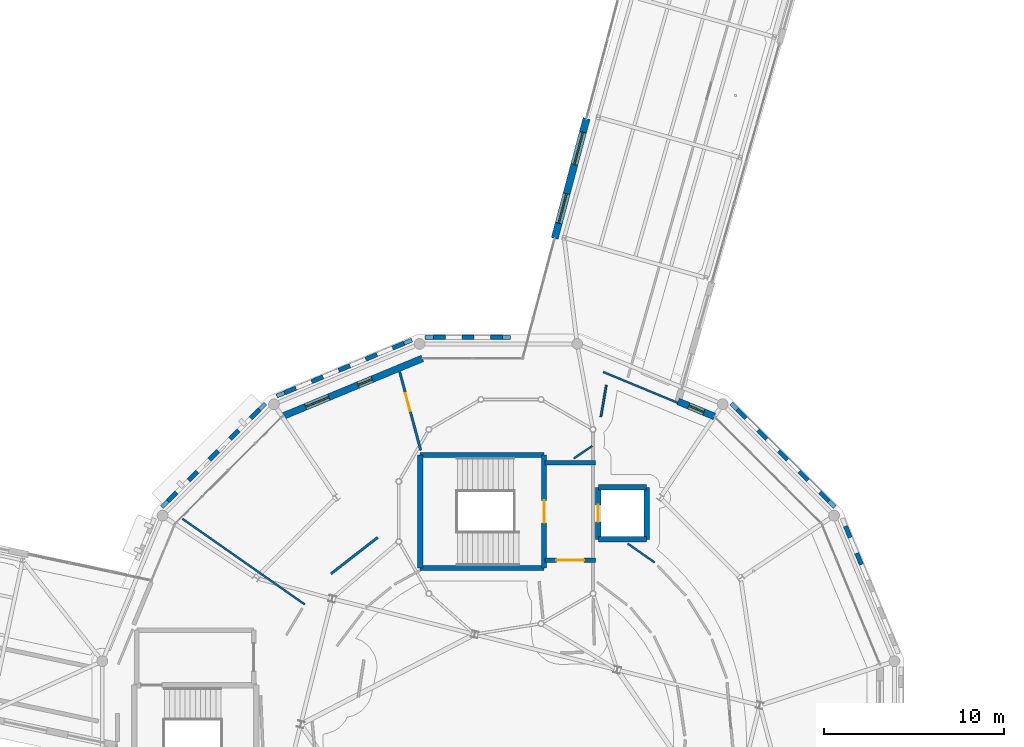
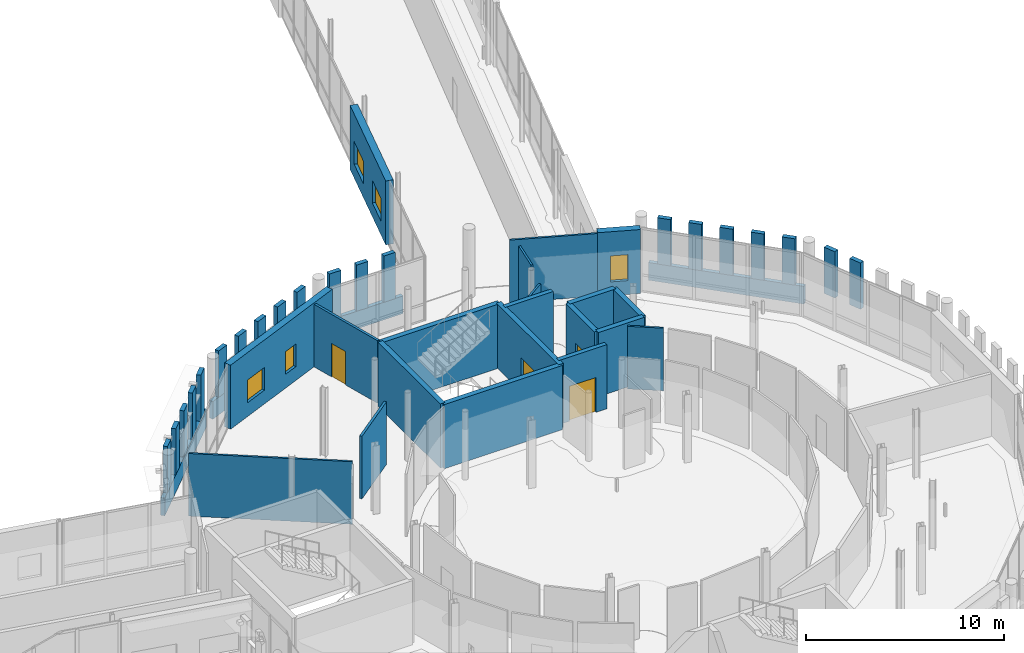
# One storey, part 100 of 125: 44 walls, 5 windows, 4 doors, 9 openings.
"""IFC4 building model written with IfcOpenShell, lengths in metres."""

import ifcopenshell
import ifcopenshell.guid

model = None  # the IFC model being written
_history = None  # IfcOwnerHistory: only IFC2X3 demands one
_inside = {}  # id of a spatial element -> (the spatial element, [elements in it])
_under = {}  # id of a project, library or spatial element -> (it, [spatial elements below it])
_declared = {}  # id of a project -> (the project, [libraries it declares])
_typed = {}  # id of a type object -> (the type object, [elements of that type])
_made_of = {}  # id of a material, layer set ... -> (it, [elements and type objects made of it])


def new_model(schema):
    """Start an empty IFC model of exactly this schema.

    Asked for "IFC4X3", IfcOpenShell would pick the latest addendum, in which some entities
    have other attributes; the version numbers below select the first issue.
    IFC2X3 requires an IfcOwnerHistory on every rooted entity: one is made here for all.
    """
    global model, _history
    if schema == "IFC4X3":
        model = ifcopenshell.file(schema_version=(4, 3, 0, 0))
    else:
        model = ifcopenshell.file(schema=schema)
    _inside.clear()
    _under.clear()
    _declared.clear()
    _typed.clear()
    _made_of.clear()
    _history = None
    if model.schema == "IFC2X3":
        org = make("IfcOrganization", Name="unknown")
        user = make(
            "IfcPersonAndOrganization",
            ThePerson=make("IfcPerson", FamilyName="unknown"),
            TheOrganization=org,
        )
        app = make(
            "IfcApplication",
            ApplicationDeveloper=org,
            Version="unknown",
            ApplicationFullName="unknown",
            ApplicationIdentifier="unknown",
        )
        _history = make(
            "IfcOwnerHistory",
            OwningUser=user,
            OwningApplication=app,
            ChangeAction="ADDED",
            CreationDate=0,
        )
    return model


def make(cls, **values):
    """One entity of the class cls with the attributes given. An attribute that is None is left unset."""
    return model.create_entity(
        cls, **{name: value for name, value in values.items() if value is not None}
    )


def rooted(cls, **values):
    """An entity with a GlobalId (a new one), such as an element, a storey or a relation."""
    return make(cls, GlobalId=ifcopenshell.guid.new(), OwnerHistory=_history, **values)


def si_unit(unit_type, name, prefix=None):
    """IfcSIUnit, for example si_unit("LENGTHUNIT", "METRE", prefix="MILLI")."""
    return make("IfcSIUnit", UnitType=unit_type, Prefix=prefix, Name=name)


def assignment(units):
    """IfcUnitAssignment: the units of a project."""
    return None if units is None else make("IfcUnitAssignment", Units=units)


def point(xyz):
    """IfcCartesianPoint."""
    return None if xyz is None else make("IfcCartesianPoint", Coordinates=xyz)


def direction(xyz):
    """IfcDirection."""
    return None if xyz is None else make("IfcDirection", DirectionRatios=xyz)


def frame(location, z_axis=None, x_axis=None):
    """IfcAxis2Placement3D, a coordinate frame: its origin and axes. An axis left out is left unset."""
    return make(
        "IfcAxis2Placement3D",
        Location=point(location),
        Axis=direction(z_axis),
        RefDirection=direction(x_axis),
    )


def frame_2d(location, x_axis=None):
    """IfcAxis2Placement2D, a coordinate frame in the plane: its origin and x axis."""
    return make(
        "IfcAxis2Placement2D", Location=point(location), RefDirection=direction(x_axis)
    )


def origin():
    """The frame at (0, 0, 0) with its axes left unset."""
    return frame((0.0, 0.0, 0.0))


def place(relative_to, where):
    """IfcLocalPlacement: puts the frame where relative to a parent placement (None: the world)."""
    return make(
        "IfcLocalPlacement", PlacementRelTo=relative_to, RelativePlacement=where
    )


def context(
    kind, dimensions, precision=None, world=None, true_north=None, identifier=None
):
    """IfcGeometricRepresentationContext, for example the 3D "Model" context."""
    return make(
        "IfcGeometricRepresentationContext",
        ContextIdentifier=identifier,
        ContextType=kind,
        CoordinateSpaceDimension=dimensions,
        Precision=precision,
        WorldCoordinateSystem=world,
        TrueNorth=true_north,
    )


def subcontext(parent, identifier, kind, view, scale=None):
    """IfcGeometricRepresentationSubContext, for example "Body" below "Model"."""
    return make(
        "IfcGeometricRepresentationSubContext",
        ContextIdentifier=identifier,
        ContextType=kind,
        ParentContext=parent,
        TargetScale=scale,
        TargetView=view,
    )


def project(units=None, contexts=None):
    """IfcProject with its units and contexts."""
    return rooted(
        "IfcProject",
        Name="project",
        RepresentationContexts=contexts,
        UnitsInContext=assignment(units),
    )


def spatial(cls, under=None, at=None, **own):
    """A site, building, storey or space (cls), placed at a placement, below another one or the project."""
    s = rooted(cls, ObjectPlacement=at, **own)
    if under is not None:
        _under.setdefault(under.id(), (under, []))[1].append(s)
    return s


def profile(cls, at=None, kind="AREA", **sizes):
    """A parametric profile (cls). Its sizes go by their IFC names, for example OverallWidth=200.0."""
    return make(cls, ProfileType=kind, Position=at, **sizes)


def rectangle(**sizes):
    """IfcRectangleProfileDef."""
    return profile("IfcRectangleProfileDef", **sizes)


def extrude(swept, where, along, depth):
    """IfcExtrudedAreaSolid: the profile swept, set in the frame where, extruded along a direction by depth."""
    return make(
        "IfcExtrudedAreaSolid",
        SweptArea=swept,
        Position=where,
        ExtrudedDirection=direction(along),
        Depth=depth,
    )


def shape(context_of_items, identifier, shape_type, items):
    """IfcShapeRepresentation: the items that make up one representation, for example the "Body"."""
    return make(
        "IfcShapeRepresentation",
        ContextOfItems=context_of_items,
        RepresentationIdentifier=identifier,
        RepresentationType=shape_type,
        Items=items,
    )


def material(Name=None, Category=None):
    """IfcMaterial."""
    return make("IfcMaterial", Name=Name, Category=Category)


def layer(
    of_material, thickness, ventilated=None, Name=None, Category=None, Priority=None
):
    """IfcMaterialLayer: one layer of a wall or slab, of a material (None: an air gap)."""
    return make(
        "IfcMaterialLayer",
        Material=of_material,
        LayerThickness=thickness,
        IsVentilated=ventilated,
        Name=Name,
        Category=Category,
        Priority=Priority,
    )


def layer_set(layers, Name=None):
    """IfcMaterialLayerSet."""
    return make("IfcMaterialLayerSet", MaterialLayers=layers, LayerSetName=Name)


def made_of(thing, what):
    """Note that an element or type object is made of a material, layer set ...; save() writes the relation."""
    if what is not None:
        _made_of.setdefault(what.id(), (what, []))[1].append(thing)
    return thing


def type_object(cls, material=None, **own):
    """A type object (cls), such as IfcWallType, which elements share."""
    return made_of(rooted(cls, **own), material)


def element(
    cls,
    number,
    at=None,
    inside=None,
    cuts=None,
    type_object=None,
    material=None,
    context=None,
    identifier="Body",
    shape_type=None,
    held_by="IfcProductDefinitionShape",
    body=None,
    shapes=None,
    **own,
):
    """One element of the class cls, such as IfcWall. Its Tag is "e" and its number.

    at: its placement. inside: the storey or other place that contains it. cuts: it is an
    opening in that element (IfcRelVoidsElement). A single representation is given by context,
    identifier, shape_type and body (its items); several are given by shapes. held_by: the class
    of the entity that holds the representations. save() writes the other relations.
    """
    e = rooted(cls, Tag="e%d" % number, ObjectPlacement=at, **own)
    if body is not None:
        shapes = [shape(context, identifier, shape_type, body)]
    if shapes is not None:
        e.Representation = make(held_by, Representations=shapes)
    if inside is not None:
        _inside.setdefault(inside.id(), (inside, []))[1].append(e)
    if cuts is not None:
        rooted(
            "IfcRelVoidsElement", RelatingBuildingElement=cuts, RelatedOpeningElement=e
        )
    if type_object is not None:
        _typed.setdefault(type_object.id(), (type_object, []))[1].append(e)
    return made_of(e, material)


def fill(opening, filler):
    """IfcRelFillsElement: the door or window that sits in an opening."""
    return rooted(
        "IfcRelFillsElement",
        RelatingOpeningElement=opening,
        RelatedBuildingElement=filler,
    )


def aggregate(whole, parts):
    """IfcRelAggregates: a whole, such as a stair, and the parts it consists of."""
    return rooted("IfcRelAggregates", RelatingObject=whole, RelatedObjects=parts)


def save(model, path):
    """Write the relations noted so far, then the file.

    IfcRelAggregates (storeys below a building ...), IfcRelContainedInSpatialStructure (elements
    in a storey), IfcRelDefinesByType, IfcRelAssociatesMaterial and IfcRelDeclares: one each for
    every whole, place, type object, material and project.
    """
    for whole, parts in _under.values():
        aggregate(whole, parts)
    for where, things in _inside.values():
        rooted(
            "IfcRelContainedInSpatialStructure",
            RelatedElements=things,
            RelatingStructure=where,
        )
    for kind, things in _typed.values():
        rooted("IfcRelDefinesByType", RelatedObjects=things, RelatingType=kind)
    for what, things in _made_of.values():
        rooted("IfcRelAssociatesMaterial", RelatedObjects=things, RelatingMaterial=what)
    for by, libraries in _declared.values():
        rooted("IfcRelDeclares", RelatingContext=by, RelatedDefinitions=libraries)
    model.write(path)


model = new_model("IFC4")

# Units and contexts
model_context = context("Model", 3, precision=1e-05, world=origin(), true_north=direction((0.0, 1.0)))
body_context = subcontext(model_context, "Body", "Model", "MODEL_VIEW")
ifc_project = project(units=[si_unit("LENGTHUNIT", "METRE"), si_unit("AREAUNIT", "SQUARE_METRE"), si_unit("VOLUMEUNIT", "CUBIC_METRE"), si_unit("PLANEANGLEUNIT", "RADIAN"), si_unit("MASSUNIT", "GRAM", prefix="KILO")], contexts=[model_context])

# Site, building, storey
site_placement = place(None, origin())
site = spatial("IfcSite", under=ifc_project, at=site_placement, CompositionType="ELEMENT")
building_placement = place(site_placement, origin())
building = spatial("IfcBuilding", under=site, at=building_placement, Name="Wrenclough Park School", CompositionType="ELEMENT")
storey_placement = place(building_placement, frame((0.0, 0.0, 4.199951171875)))
storey = spatial("IfcBuildingStorey", under=building, at=storey_placement, Name="L01", CompositionType="ELEMENT", Elevation=4.199951171875)

# Walls
ifc_material_1 = material(Name="Perforated open-bond Staffordshire and Manchester brick screen pier", Category="masonry")
ifc_layer_1 = layer(ifc_material_1, 0.2451171875)
ifc_layer_set_1 = layer_set([ifc_layer_1], Name="Perforated open-bond Staffordshire and Manchester brick screen pier")
wall_type_1 = type_object("IfcWallType", Name="ENV-BS-PR245", PredefinedType="ELEMENTEDWALL", material=ifc_layer_set_1)
for number, where, z_axis, x_axis, name in (
    (1, (175.68310546875, 36.25048828125, 1.090087890625), (0.0, 0.0, 1.0), (-0.382762115804, 0.923846936838, 0.0), "D1 L01 perforated brick screen pier 0169"),
    (2, (175.060791015625, 37.752685546875, 1.090087890625), (0.0, 0.0, 1.0), (-0.382762115804, 0.923846936838, 0.0), "D1 L01 perforated brick screen pier 0170"),
):
    element("IfcWall", number, at=place(storey_placement, frame(where, z_axis=z_axis, x_axis=x_axis)), inside=storey, type_object=wall_type_1, Name=name, PredefinedType="ELEMENTEDWALL", context=body_context, shape_type="SweptSolid", body=[
        extrude(rectangle(XDim=0.68310546875, YDim=0.2451171875, at=frame_2d((0.341552734375, 0.0))), origin(), (0.0, 0.0, 1.0), 2.849853515625),
    ])
wall_1_placement = place(storey_placement, frame((173.864501953125, 39.78271484375, 1.090087890625), z_axis=(0.0, 0.0, 1.0), x_axis=(-0.707106781187, 0.707106781187, 0.0)))
element("IfcWall", 3, at=wall_1_placement, inside=storey, type_object=wall_type_1, Name="D1 L01 perforated brick screen pier 0171", PredefinedType="ELEMENTEDWALL", context=body_context, shape_type="SweptSolid", body=[
    extrude(rectangle(XDim=0.682861328125, YDim=0.2451171875, at=frame_2d((0.34130859375, 0.0))), origin(), (0.0, 0.0, 1.0), 2.849853515625),
])
for number, where, z_axis, x_axis, name in (
    (4, (172.715087890625, 40.932373046875, 1.090087890625), (0.0, 0.0, 1.0), (-0.707285456296, 0.706928060917, 0.0), "D1 L01 perforated brick screen pier 0172"),
    (5, (171.5654296875, 42.081787109375, 1.090087890625), (0.0, 0.0, 1.0), (-0.706928060917, 0.707285456296, 0.0), "D1 L01 perforated brick screen pier 0173"),
    (6, (170.415771484375, 43.2314453125, 1.090087890625), (0.0, 0.0, 1.0), (-0.706928060917, 0.707285456296, 0.0), "D1 L01 perforated brick screen pier 0174"),
):
    element("IfcWall", number, at=place(storey_placement, frame(where, z_axis=z_axis, x_axis=x_axis)), inside=storey, type_object=wall_type_1, Name=name, PredefinedType="ELEMENTEDWALL", context=body_context, shape_type="SweptSolid", body=[
        extrude(rectangle(XDim=0.68310546875, YDim=0.2451171875, at=frame_2d((0.341552734375, 0.0))), origin(), (0.0, 0.0, 1.0), 2.849853515625),
    ])
wall_2_placement = place(storey_placement, frame((169.26611328125, 44.381103515625, 1.090087890625), z_axis=(0.0, 0.0, 1.0), x_axis=(-0.707106781187, 0.707106781187, 0.0)))
element("IfcWall", 7, at=wall_2_placement, inside=storey, type_object=wall_type_1, Name="D1 L01 perforated brick screen pier 0175", PredefinedType="ELEMENTEDWALL", context=body_context, shape_type="SweptSolid", body=[
    extrude(rectangle(XDim=0.682861328125, YDim=0.2451171875, at=frame_2d((0.34130859375, 0.0))), origin(), (0.0, 0.0, 1.0), 2.849853515625),
])
for number, where, z_axis, x_axis, name in (
    (8, (155.72216796875, 48.878173828125, 1.090087890625), (0.0, 0.0, 1.0), (-1.0, 0.0, 0.0), "D1 L01 perforated brick screen pier 0176"),
    (9, (154.14013671875, 48.878173828125, 1.090087890625), (0.0, 0.0, 1.0), (-1.0, 0.0, 0.0), "D1 L01 perforated brick screen pier 0177"),
    (10, (152.55810546875, 48.878173828125, 1.090087890625), (0.0, 0.0, 1.0), (-1.0, 0.0, 0.0), "D1 L01 perforated brick screen pier 0178"),
):
    element("IfcWall", number, at=place(storey_placement, frame(where, z_axis=z_axis, x_axis=x_axis)), inside=storey, type_object=wall_type_1, Name=name, PredefinedType="ELEMENTEDWALL", context=body_context, shape_type="SweptSolid", body=[
        extrude(rectangle(XDim=0.6640625, YDim=0.2451171875, at=frame_2d((0.33203125, 0.0))), origin(), (0.0, 0.0, 1.0), 2.849853515625),
    ])
wall_3_placement = place(storey_placement, frame((150.256103515625, 48.5498046875, 1.090087890625), z_axis=(0.0, 0.0, 1.0), x_axis=(-0.923846936838, -0.382762115804, 0.0)))
element("IfcWall", 11, at=wall_3_placement, inside=storey, type_object=wall_type_1, Name="D1 L01 perforated brick screen pier 0179", PredefinedType="ELEMENTEDWALL", context=body_context, shape_type="SweptSolid", body=[
    extrude(rectangle(XDim=0.68310546875, YDim=0.2451171875, at=frame_2d((0.341552734375, 0.0))), origin(), (0.0, 0.0, 1.0), 2.849853515625),
])
for number, where, z_axis, x_axis, name in (
    (12, (148.753662109375, 47.927490234375, 1.090087890625), (0.0, 0.0, 1.0), (-0.923794551169, -0.382888531077, 0.0), "D1 L01 perforated brick screen pier 0180"),
    (13, (147.25146484375, 47.30517578125, 1.090087890625), (0.0, 0.0, 1.0), (-0.923920971518, -0.382583374429, 0.0), "D1 L01 perforated brick screen pier 0181"),
    (14, (145.749267578125, 46.68310546875, 1.090087890625), (0.0, 0.0, 1.0), (-0.923794551169, -0.382888531077, 0.0), "D1 L01 perforated brick screen pier 0182"),
):
    element("IfcWall", number, at=place(storey_placement, frame(where, z_axis=z_axis, x_axis=x_axis)), inside=storey, type_object=wall_type_1, Name=name, PredefinedType="ELEMENTEDWALL", context=body_context, shape_type="SweptSolid", body=[
        extrude(rectangle(XDim=0.682861328125, YDim=0.2451171875, at=frame_2d((0.34130859375, 0.0))), origin(), (0.0, 0.0, 1.0), 2.849853515625),
    ])
wall_4_placement = place(storey_placement, frame((144.2470703125, 46.060791015625, 1.090087890625), z_axis=(0.0, 0.0, 1.0), x_axis=(-0.923846936838, -0.382762115804, 0.0)))
element("IfcWall", 15, at=wall_4_placement, inside=storey, type_object=wall_type_1, Name="D1 L01 perforated brick screen pier 0183", PredefinedType="ELEMENTEDWALL", context=body_context, shape_type="SweptSolid", body=[
    extrude(rectangle(XDim=0.68310546875, YDim=0.2451171875, at=frame_2d((0.341552734375, 0.0))), origin(), (0.0, 0.0, 1.0), 2.849853515625),
])
wall_5_placement = place(storey_placement, frame((142.216796875, 44.864013671875, 1.090087890625), z_axis=(0.0, 0.0, 1.0), x_axis=(-0.707106781187, -0.707106781187, 0.0)))
element("IfcWall", 16, at=wall_5_placement, inside=storey, type_object=wall_type_1, Name="D1 L01 perforated brick screen pier 0184", PredefinedType="ELEMENTEDWALL", context=body_context, shape_type="SweptSolid", body=[
    extrude(rectangle(XDim=0.682861328125, YDim=0.2451171875, at=frame_2d((0.34130859375, 0.0))), origin(), (0.0, 0.0, 1.0), 2.849853515625),
])
for number, where, z_axis, x_axis, name in (
    (17, (141.067138671875, 43.714599609375, 1.090087890625), (0.0, 0.0, 1.0), (-0.706928060917, -0.707285456296, 0.0), "D1 L01 perforated brick screen pier 0185"),
    (18, (139.91748046875, 42.56494140625, 1.090087890625), (0.0, 0.0, 1.0), (-0.706928060917, -0.707285456296, 0.0), "D1 L01 perforated brick screen pier 0186"),
    (19, (138.76806640625, 41.415283203125, 1.090087890625), (0.0, 0.0, 1.0), (-0.707285456296, -0.706928060917, 0.0), "D1 L01 perforated brick screen pier 0187"),
):
    element("IfcWall", number, at=place(storey_placement, frame(where, z_axis=z_axis, x_axis=x_axis)), inside=storey, type_object=wall_type_1, Name=name, PredefinedType="ELEMENTEDWALL", context=body_context, shape_type="SweptSolid", body=[
        extrude(rectangle(XDim=0.68310546875, YDim=0.2451171875, at=frame_2d((0.341552734375, 0.0))), origin(), (0.0, 0.0, 1.0), 2.849853515625),
    ])
wall_6_placement = place(storey_placement, frame((137.618408203125, 40.265625, 1.090087890625), z_axis=(0.0, 0.0, 1.0), x_axis=(-0.707106781187, -0.707106781187, 0.0)))
element("IfcWall", 20, at=wall_6_placement, inside=storey, type_object=wall_type_1, Name="D1 L01 perforated brick screen pier 0188", PredefinedType="ELEMENTEDWALL", context=body_context, shape_type="SweptSolid", body=[
    extrude(rectangle(XDim=0.682861328125, YDim=0.2451171875, at=frame_2d((0.34130859375, 0.0))), origin(), (0.0, 0.0, 1.0), 2.849853515625),
])
ifc_material_2 = material(Name="Open-bond Manchester multi-stock brick spandrel screen", Category="masonry")
ifc_layer_2 = layer(ifc_material_2, 0.22509765625)
ifc_layer_set_2 = layer_set([ifc_layer_2], Name="Open-bond Manchester multi-stock brick spandrel screen")
wall_type_2 = type_object("IfcWallType", Name="ENV-BS-SP225", PredefinedType="ELEMENTEDWALL", material=ifc_layer_set_2)
wall_7_placement = place(storey_placement, frame((174.197998046875, 39.449462890625, 0.0), z_axis=(0.0, 0.0, 1.0), x_axis=(-0.707106781187, 0.707106781187, 0.0)))
element("IfcWall", 21, at=wall_7_placement, inside=storey, type_object=wall_type_2, Name="D1 L01 open-bond brick screen spandrel 0049", PredefinedType="ELEMENTEDWALL", context=body_context, shape_type="SweptSolid", body=[
    extrude(rectangle(XDim=8.12890625, YDim=0.22509765625, at=frame_2d((4.064453125, 0.0))), origin(), (0.0, 0.0, 1.0), 1.090087890625),
])
wall_8_placement = place(storey_placement, frame((156.18115234375, 48.878173828125, 0.0), z_axis=(0.0, 0.0, 1.0), x_axis=(-1.0, 0.0, 0.0)))
element("IfcWall", 22, at=wall_8_placement, inside=storey, type_object=wall_type_2, Name="D1 L01 open-bond brick screen spandrel 0050", PredefinedType="ELEMENTEDWALL", context=body_context, shape_type="SweptSolid", body=[
    extrude(rectangle(XDim=4.74609375, YDim=0.22509765625, at=frame_2d((2.373046875, 0.0))), origin(), (0.0, 0.0, 1.0), 1.090087890625),
])
wall_9_placement = place(storey_placement, frame((150.691650390625, 48.730224609375, 0.0), z_axis=(0.0, 0.0, 1.0), x_axis=(-0.92387628859, -0.382691263791, 0.0)))
element("IfcWall", 23, at=wall_9_placement, inside=storey, type_object=wall_type_2, Name="D1 L01 open-bond brick screen spandrel 0051", PredefinedType="ELEMENTEDWALL", context=body_context, shape_type="SweptSolid", body=[
    extrude(rectangle(XDim=8.130126953125, YDim=0.22509765625, at=frame_2d((4.06494140625, 0.0))), origin(), (0.0, 0.0, 1.0), 1.090087890625),
])
wall_10_placement = place(storey_placement, frame((142.550048828125, 45.197509765625, 0.0), z_axis=(0.0, 0.0, 1.0), x_axis=(-0.707106781187, -0.707106781187, 0.0)))
element("IfcWall", 24, at=wall_10_placement, inside=storey, type_object=wall_type_2, Name="D1 L01 open-bond brick screen spandrel 0052", PredefinedType="ELEMENTEDWALL", context=body_context, shape_type="SweptSolid", body=[
    extrude(rectangle(XDim=8.12890625, YDim=0.22509765625, at=frame_2d((4.064453125, 0.0))), origin(), (0.0, 0.0, 1.0), 1.090087890625),
])

# Wall, opening, window
ifc_material_3 = material(Name="Manchester multi-stock brick and Concrete C35/45 inner leaf", Category="masonry")
ifc_layer_3 = layer(ifc_material_3, 0.3798828125)
ifc_layer_set_3 = layer_set([ifc_layer_3], Name="Manchester multi-stock brick and Concrete C35/45 inner leaf")
wall_type_3 = type_object("IfcWallType", Name="ENV-EW-380", PredefinedType="SOLIDWALL", material=ifc_layer_set_3)
wall_11_placement = place(storey_placement, frame((165.493896484375, 45.3203125, 0.0), z_axis=(0.0, 0.0, 1.0), x_axis=(0.923883575944, -0.382673670509, 0.0)))
wall_11 = element("IfcWall", 25, at=wall_11_placement, inside=storey, type_object=wall_type_3, Name="L01 insulated brick external wall 0099", PredefinedType="SOLIDWALL", context=body_context, shape_type="SweptSolid", body=[
    extrude(rectangle(XDim=2.188232421875, YDim=0.3798828125, at=frame_2d((1.09423828125, 0.0))), origin(), (0.0, 0.0, 1.0), 3.93994140625),
])
opening_1_placement = place(wall_11_placement, frame((0.644287109375, 0.0, 0.85009765625)))
opening_1 = element("IfcOpeningElement", 26, at=opening_1_placement, cuts=wall_11, Name="Opening WN-13", PredefinedType="OPENING", context=body_context, shape_type="SweptSolid", body=[
    extrude(rectangle(XDim=0.89990234375, YDim=1.60009765625, at=frame_2d((0.449951171875, 0.800048828125))), frame((0.0, 0.199951171875, 0.0), z_axis=(0.0, -1.0, 0.0), x_axis=(1.0, 0.0, 0.0)), (0.0, 0.0, 1.0), 0.39990234375),
])
ifc_material_4 = material(Name="Thermally broken aluminium and double-glazed low-e glass", Category="aluminium")
window_type_1 = type_object("IfcWindowType", Name="ENV-WN-13", PartitioningType="SINGLE_PANEL", PredefinedType="WINDOW", material=ifc_material_4)
window_1_placement = place(opening_1_placement, origin())
window_1 = element("IfcWindow", 27, at=window_1_placement, inside=storey, type_object=window_type_1, Name="L01 scheduled facade window 0144", OverallHeight=1.60009765625, OverallWidth=0.89990234375, PartitioningType="SINGLE_PANEL", PredefinedType="WINDOW", context=body_context, shape_type="SweptSolid", body=[
    extrude(rectangle(XDim=0.89990234375, YDim=1.60009765625, at=frame_2d((0.449951171875, 0.800048828125))), frame((0.0, 0.030029296875, 0.0), z_axis=(0.0, -1.0, 0.0), x_axis=(1.0, 0.0, 0.0)), (0.0, 0.0, 1.0), 0.06005859375),
])
fill(opening_1, window_1)

# Wall, openings, windows
wall_12_placement = place(storey_placement, frame((143.484375, 44.48291015625, 0.0), z_axis=(0.0, 0.0, 1.0), x_axis=(0.923884604839, 0.382671186453, 0.0)))
wall_12 = element("IfcWall", 28, at=wall_12_placement, inside=storey, type_object=wall_type_3, Name="L01 insulated brick external wall 0115", PredefinedType="SOLIDWALL", context=body_context, shape_type="SweptSolid", body=[
    extrude(rectangle(XDim=8.438720703125, YDim=0.3798828125, at=frame_2d((4.21923828125, 0.0))), origin(), (0.0, 0.0, 1.0), 3.93994140625),
])
opening_2_placement = place(wall_12_placement, frame((1.40966796875, 0.0, 0.85009765625)))
opening_2 = element("IfcOpeningElement", 29, at=opening_2_placement, cuts=wall_12, Name="Opening WN-05", PredefinedType="OPENING", context=body_context, shape_type="SweptSolid", body=[
    extrude(rectangle(XDim=1.39990234375, YDim=1.39990234375, at=frame_2d((0.699951171875, 0.699951171875))), frame((0.0, 0.199951171875, 0.0), z_axis=(0.0, -1.0, 0.0), x_axis=(1.0, 0.0, 0.0)), (0.0, 0.0, 1.0), 0.39990234375),
])
opening_3_placement = place(wall_12_placement, frame((4.5693359375, 0.0, 0.85009765625)))
opening_3 = element("IfcOpeningElement", 30, at=opening_3_placement, cuts=wall_12, Name="Opening WN-01", PredefinedType="OPENING", context=body_context, shape_type="SweptSolid", body=[
    extrude(rectangle(XDim=0.85009765625, YDim=1.39990234375, at=frame_2d((0.425048828125, 0.699951171875))), frame((0.0, 0.199951171875, 0.0), z_axis=(0.0, -1.0, 0.0), x_axis=(1.0, 0.0, 0.0)), (0.0, 0.0, 1.0), 0.39990234375),
])
window_type_2 = type_object("IfcWindowType", Name="ENV-WN-01", PartitioningType="SINGLE_PANEL", PredefinedType="WINDOW", material=ifc_material_4)
window_2_placement = place(opening_3_placement, origin())
window_2 = element("IfcWindow", 31, at=window_2_placement, inside=storey, type_object=window_type_2, Name="L01 scheduled facade window 0173", OverallHeight=1.39990234375, OverallWidth=0.85009765625, PartitioningType="SINGLE_PANEL", PredefinedType="WINDOW", context=body_context, shape_type="SweptSolid", body=[
    extrude(rectangle(XDim=0.85009765625, YDim=1.39990234375, at=frame_2d((0.425048828125, 0.699951171875))), frame((0.0, 0.030029296875, 0.0), z_axis=(0.0, -1.0, 0.0), x_axis=(1.0, 0.0, 0.0)), (0.0, 0.0, 1.0), 0.06005859375),
])
fill(opening_3, window_2)
window_type_3 = type_object("IfcWindowType", Name="ENV-WN-05", PartitioningType="SINGLE_PANEL", PredefinedType="WINDOW", material=ifc_material_4)
window_3_placement = place(opening_2_placement, origin())
window_3 = element("IfcWindow", 32, at=window_3_placement, inside=storey, type_object=window_type_3, Name="L01 scheduled facade window 0172", OverallHeight=1.39990234375, OverallWidth=1.39990234375, PartitioningType="SINGLE_PANEL", PredefinedType="WINDOW", context=body_context, shape_type="SweptSolid", body=[
    extrude(rectangle(XDim=1.39990234375, YDim=1.39990234375, at=frame_2d((0.699951171875, 0.699951171875))), frame((0.0, 0.030029296875, 0.0), z_axis=(0.0, -1.0, 0.0), x_axis=(1.0, 0.0, 0.0)), (0.0, 0.0, 1.0), 0.06005859375),
])
fill(opening_2, window_3)

ifc_material_5 = material(Name="Staffordshire blue-grey brick and Concrete C40/50 acoustic leaf", Category="masonry")
ifc_layer_4 = layer(ifc_material_5, 0.39990234375)
ifc_layer_set_4 = layer_set([ifc_layer_4], Name="Staffordshire blue-grey brick and Concrete C40/50 acoustic leaf")
wall_type_4 = type_object("IfcWallType", Name="ENV-EW-400", PredefinedType="SOLIDWALL", material=ifc_layer_set_4)
wall_13_placement = place(storey_placement, frame((158.631591796875, 54.382080078125, 0.0), z_axis=(0.0, 0.0, 1.0), x_axis=(0.256900738099, 0.966437794565, 0.0)))
wall_13 = element("IfcWall", 33, at=wall_13_placement, inside=storey, type_object=wall_type_4, Name="L01 insulated brick external wall 0116", PredefinedType="SOLIDWALL", context=body_context, shape_type="SweptSolid", body=[
    extrude(rectangle(XDim=6.9013671875, YDim=0.39990234375, at=frame_2d((3.45068359375, 0.0))), origin(), (0.0, 0.0, 1.0), 3.93994140625),
])
opening_4_placement = place(wall_13_placement, frame((0.87548828125, 0.0, 0.85009765625)))
opening_4 = element("IfcOpeningElement", 34, at=opening_4_placement, cuts=wall_13, Name="Opening WN-07", PredefinedType="OPENING", context=body_context, shape_type="SweptSolid", body=[
    extrude(rectangle(XDim=1.699951171875, YDim=1.39990234375, at=frame_2d((0.85009765625, 0.699951171875))), frame((0.0, 0.2099609375, 0.0), z_axis=(0.0, -1.0, 0.0), x_axis=(1.0, 0.0, 0.0)), (0.0, 0.0, 1.0), 0.419921875),
])
opening_5_placement = place(wall_13_placement, frame((4.251220703125, 0.0, 0.85009765625)))
opening_5 = element("IfcOpeningElement", 35, at=opening_5_placement, cuts=wall_13, Name="Opening WN-08", PredefinedType="OPENING", context=body_context, shape_type="SweptSolid", body=[
    extrude(rectangle(XDim=1.85009765625, YDim=1.39990234375, at=frame_2d((0.925048828125, 0.699951171875))), frame((0.0, 0.2099609375, 0.0), z_axis=(0.0, -1.0, 0.0), x_axis=(1.0, 0.0, 0.0)), (0.0, 0.0, 1.0), 0.419921875),
])
window_type_4 = type_object("IfcWindowType", Name="ENV-WN-07", PartitioningType="DOUBLE_PANEL_VERTICAL", PredefinedType="WINDOW", material=ifc_material_4)
window_4_placement = place(opening_4_placement, origin())
window_4 = element("IfcWindow", 36, at=window_4_placement, inside=storey, type_object=window_type_4, Name="L01 scheduled facade window 0174", OverallHeight=1.39990234375, OverallWidth=1.699951171875, PartitioningType="SINGLE_PANEL", PredefinedType="WINDOW", context=body_context, shape_type="SweptSolid", body=[
    extrude(rectangle(XDim=1.699951171875, YDim=1.39990234375, at=frame_2d((0.85009765625, 0.699951171875))), frame((0.0, 0.030029296875, 0.0), z_axis=(0.0, -1.0, 0.0), x_axis=(1.0, 0.0, 0.0)), (0.0, 0.0, 1.0), 0.06005859375),
])
fill(opening_4, window_4)
window_type_5 = type_object("IfcWindowType", Name="ENV-WN-08", PartitioningType="DOUBLE_PANEL_VERTICAL", PredefinedType="WINDOW", material=ifc_material_4)
window_5_placement = place(opening_5_placement, origin())
window_5 = element("IfcWindow", 37, at=window_5_placement, inside=storey, type_object=window_type_5, Name="L01 scheduled facade window 0175", OverallHeight=1.39990234375, OverallWidth=1.85009765625, PartitioningType="SINGLE_PANEL", PredefinedType="WINDOW", context=body_context, shape_type="SweptSolid", body=[
    extrude(rectangle(XDim=1.85009765625, YDim=1.39990234375, at=frame_2d((0.925048828125, 0.699951171875))), frame((0.0, 0.030029296875, 0.0), z_axis=(0.0, -1.0, 0.0), x_axis=(1.0, 0.0, 0.0)), (0.0, 0.0, 1.0), 0.06005859375),
])
fill(opening_5, window_5)

# Wall, opening, door
ifc_material_6 = material(Name="Concrete C35/45", Category="concrete")
ifc_layer_5 = layer(ifc_material_6, 0.25)
ifc_layer_set_5 = layer_set([ifc_layer_5], Name="Concrete C35/45")
wall_type_5 = type_object("IfcWallType", Name="INT-CW-250", PredefinedType="SHEAR", material=ifc_layer_set_5)
wall_14_placement = place(storey_placement, frame((158.10009765625, 36.5, 0.0), z_axis=(0.0, 0.0, 1.0), x_axis=(1.0, 0.0, 0.0)))
wall_14 = element("IfcWall", 38, at=wall_14_placement, inside=storey, type_object=wall_type_5, Name="Core C1 L01 lobby fire wall south", PredefinedType="SHEAR", context=body_context, shape_type="SweptSolid", body=[
    extrude(rectangle(XDim=2.7998046875, YDim=0.25, at=frame_2d((1.39990234375, 0.0))), origin(), (0.0, 0.0, 1.0), 3.949951171875),
])
opening_6_placement = place(wall_14_placement, frame((0.625, 0.0, 0.0)))
opening_6 = element("IfcOpeningElement", 39, at=opening_6_placement, cuts=wall_14, Name="Opening DLB-C1-L01", PredefinedType="OPENING", context=body_context, shape_type="SweptSolid", body=[
    extrude(rectangle(XDim=1.550048828125, YDim=2.14990234375, at=frame_2d((0.77490234375, 1.074951171875))), frame((0.0, 0.135009765625, 0.0), z_axis=(0.0, -1.0, 0.0), x_axis=(1.0, 0.0, 0.0)), (0.0, 0.0, 1.0), 0.27001953125),
])
ifc_material_7 = material(Name="Protected stair lobby double fire door assembly", Category="wood")
door_type_1 = type_object("IfcDoorType", Name="INT-DR-LB155", OperationType="NOTDEFINED", PredefinedType="DOOR", material=ifc_material_7)
door_1_placement = place(opening_6_placement, origin())
door_1 = element("IfcDoor", 40, at=door_1_placement, inside=storey, type_object=door_type_1, Name="Core C1 L01 protected lobby fire door", OperationType="DOUBLE_DOOR_SINGLE_SWING", OverallHeight=2.14990234375, OverallWidth=1.550048828125, PredefinedType="DOOR", context=body_context, shape_type="SweptSolid", body=[
    extrude(rectangle(XDim=1.550048828125, YDim=2.14990234375, at=frame_2d((0.77490234375, 1.074951171875))), frame((0.0, 0.02490234375, 0.0), z_axis=(0.0, -1.0, 0.0), x_axis=(1.0, 0.0, 0.0)), (0.0, 0.0, 1.0), 0.050048828125),
])
fill(opening_6, door_1)

# Walls
wall_15_placement = place(storey_placement, frame((160.89990234375, 41.89990234375, 0.0), z_axis=(0.0, 0.0, 1.0), x_axis=(-1.0, 0.0, 0.0)))
element("IfcWall", 41, at=wall_15_placement, inside=storey, type_object=wall_type_5, Name="Core C1 L01 lobby fire wall north", PredefinedType="SHEAR", context=body_context, shape_type="SweptSolid", body=[
    extrude(rectangle(XDim=2.7998046875, YDim=0.25, at=frame_2d((1.39990234375, 0.0))), origin(), (0.0, 0.0, 1.0), 3.949951171875),
])
ifc_material_8 = material(Name="Concrete C40/50", Category="concrete")
ifc_layer_6 = layer(ifc_material_8, 0.2900390625)
ifc_layer_set_6 = layer_set([ifc_layer_6], Name="Concrete C40/50")
wall_type_6 = type_object("IfcWallType", Name="INT-CW-290", PredefinedType="SHEAR", material=ifc_layer_set_6)
wall_16_placement = place(storey_placement, frame((151.155029296875, 36.054931640625, 0.0), z_axis=(0.0, 0.0, 1.0), x_axis=(1.0, 0.0, 0.0)))
element("IfcWall", 42, at=wall_16_placement, inside=storey, type_object=wall_type_6, Name="Core C1 L01 south shear wall", PredefinedType="SHEAR", context=body_context, shape_type="SweptSolid", body=[
    extrude(rectangle(XDim=6.889892578125, YDim=0.2900390625, at=frame_2d((3.44482421875, 0.0))), origin(), (0.0, 0.0, 1.0), 3.949951171875),
])

# Wall, opening, door
wall_17_placement = place(storey_placement, frame((158.044921875, 36.054931640625, 0.0), z_axis=(0.0, 0.0, 1.0), x_axis=(0.0, 1.0, 0.0)))
wall_17 = element("IfcWall", 43, at=wall_17_placement, inside=storey, type_object=wall_type_6, Name="Core C1 L01 east shear wall", PredefinedType="SHEAR", context=body_context, shape_type="SweptSolid", body=[
    extrude(rectangle(XDim=6.2900390625, YDim=0.2900390625, at=frame_2d((3.14501953125, 0.0))), origin(), (0.0, 0.0, 1.0), 3.949951171875),
])
opening_7_placement = place(wall_17_placement, frame((2.52001953125, 0.0, 0.0)))
opening_7 = element("IfcOpeningElement", 44, at=opening_7_placement, cuts=wall_17, Name="Opening DST-C1-L01", PredefinedType="OPENING", context=body_context, shape_type="SweptSolid", body=[
    extrude(rectangle(XDim=1.25, YDim=2.10009765625, at=frame_2d((0.625, 1.050048828125))), frame((0.0, 0.155029296875, 0.0), z_axis=(0.0, -1.0, 0.0), x_axis=(1.0, 0.0, 0.0)), (0.0, 0.0, 1.0), 0.31005859375),
])
ifc_material_9 = material(Name="Wide protected escape stair fire door assembly", Category="wood")
door_type_2 = type_object("IfcDoorType", Name="INT-DR-ST125", OperationType="NOTDEFINED", PredefinedType="DOOR", material=ifc_material_9)
door_2_placement = place(opening_7_placement, origin())
door_2 = element("IfcDoor", 45, at=door_2_placement, inside=storey, type_object=door_type_2, Name="Stair ST-01 L01 fire door", OperationType="SINGLE_SWING_RIGHT", OverallHeight=2.10009765625, OverallWidth=1.25, PredefinedType="DOOR", context=body_context, shape_type="SweptSolid", body=[
    extrude(rectangle(XDim=1.25, YDim=2.10009765625, at=frame_2d((0.625, 1.050048828125))), frame((0.0, 0.02490234375, 0.0), z_axis=(0.0, -1.0, 0.0), x_axis=(1.0, 0.0, 0.0)), (0.0, 0.0, 1.0), 0.050048828125),
])
fill(opening_7, door_2)

# Walls
wall_18_placement = place(storey_placement, frame((158.044921875, 42.344970703125, 0.0), z_axis=(0.0, 0.0, 1.0), x_axis=(-1.0, 0.0, 0.0)))
element("IfcWall", 46, at=wall_18_placement, inside=storey, type_object=wall_type_6, Name="Core C1 L01 north shear wall", PredefinedType="SHEAR", context=body_context, shape_type="SweptSolid", body=[
    extrude(rectangle(XDim=6.889892578125, YDim=0.2900390625, at=frame_2d((3.44482421875, 0.0))), origin(), (0.0, 0.0, 1.0), 3.949951171875),
])
wall_19_placement = place(storey_placement, frame((151.155029296875, 42.344970703125, 0.0), z_axis=(0.0, 0.0, 1.0), x_axis=(0.0, -1.0, 0.0)))
element("IfcWall", 47, at=wall_19_placement, inside=storey, type_object=wall_type_6, Name="Core C1 L01 west shear wall", PredefinedType="SHEAR", context=body_context, shape_type="SweptSolid", body=[
    extrude(rectangle(XDim=6.2900390625, YDim=0.2900390625, at=frame_2d((3.14501953125, 0.0))), origin(), (0.0, 0.0, 1.0), 3.949951171875),
])
wall_20_placement = place(storey_placement, frame((161.054931640625, 37.655029296875, 0.0), z_axis=(0.0, 0.0, 1.0), x_axis=(1.0, 0.0, 0.0)))
element("IfcWall", 48, at=wall_20_placement, inside=storey, type_object=wall_type_6, Name="Lift LFT-03 L01 south shaft wall", PredefinedType="SHEAR", context=body_context, shape_type="SweptSolid", body=[
    extrude(rectangle(XDim=2.690185546875, YDim=0.2900390625, at=frame_2d((1.34521484375, 0.0))), origin(), (0.0, 0.0, 1.0), 3.949951171875),
])
wall_21_placement = place(storey_placement, frame((163.7451171875, 37.655029296875, 0.0), z_axis=(0.0, 0.0, 1.0), x_axis=(0.0, 1.0, 0.0)))
element("IfcWall", 49, at=wall_21_placement, inside=storey, type_object=wall_type_6, Name="Lift LFT-03 L01 east shaft wall", PredefinedType="SHEAR", context=body_context, shape_type="SweptSolid", body=[
    extrude(rectangle(XDim=2.889892578125, YDim=0.2900390625, at=frame_2d((1.44482421875, 0.0))), origin(), (0.0, 0.0, 1.0), 3.949951171875),
])
wall_22_placement = place(storey_placement, frame((163.7451171875, 40.544921875, 0.0), z_axis=(0.0, 0.0, 1.0), x_axis=(-1.0, 0.0, 0.0)))
element("IfcWall", 50, at=wall_22_placement, inside=storey, type_object=wall_type_6, Name="Lift LFT-03 L01 north shaft wall", PredefinedType="SHEAR", context=body_context, shape_type="SweptSolid", body=[
    extrude(rectangle(XDim=2.690185546875, YDim=0.2900390625, at=frame_2d((1.34521484375, 0.0))), origin(), (0.0, 0.0, 1.0), 3.949951171875),
])

# Wall, opening, door
wall_23_placement = place(storey_placement, frame((161.054931640625, 40.544921875, 0.0), z_axis=(0.0, 0.0, 1.0), x_axis=(0.0, -1.0, 0.0)))
wall_23 = element("IfcWall", 51, at=wall_23_placement, inside=storey, type_object=wall_type_6, Name="Lift LFT-03 L01 west shaft wall", PredefinedType="SHEAR", context=body_context, shape_type="SweptSolid", body=[
    extrude(rectangle(XDim=2.889892578125, YDim=0.2900390625, at=frame_2d((1.44482421875, 0.0))), origin(), (0.0, 0.0, 1.0), 3.949951171875),
])
opening_8_placement = place(wall_23_placement, frame((0.969970703125, 0.0, 0.0)))
opening_8 = element("IfcOpeningElement", 52, at=opening_8_placement, cuts=wall_23, Name="Opening LD-03-L01", PredefinedType="OPENING", context=body_context, shape_type="SweptSolid", body=[
    extrude(rectangle(XDim=0.949951171875, YDim=2.10009765625, at=frame_2d((0.47509765625, 1.050048828125))), frame((0.0, 0.155029296875, 0.0), z_axis=(0.0, -1.0, 0.0), x_axis=(1.0, 0.0, 0.0)), (0.0, 0.0, 1.0), 0.31005859375),
])
ifc_material_10 = material(Name="Brushed stainless steel", Category="steel")
door_type_3 = type_object("IfcDoorType", Name="INT-DR-LD095", OperationType="NOTDEFINED", PredefinedType="DOOR", material=ifc_material_10)
door_3_placement = place(opening_8_placement, frame((0.949951171875, 0.0, 0.0), z_axis=(0.0, 0.0, 1.0), x_axis=(-1.0, 0.0, 0.0)))
door_3 = element("IfcDoor", 53, at=door_3_placement, inside=storey, type_object=door_type_3, Name="Lift LFT-03 L01 sliding landing door", OperationType="SLIDING_TO_LEFT", OverallHeight=2.10009765625, OverallWidth=0.949951171875, PredefinedType="DOOR", context=body_context, shape_type="SweptSolid", body=[
    extrude(rectangle(XDim=0.949951171875, YDim=2.10009765625, at=frame_2d((0.47509765625, 1.050048828125))), frame((0.0, 0.02490234375, 0.0), z_axis=(0.0, -1.0, 0.0), x_axis=(1.0, 0.0, 0.0)), (0.0, 0.0, 1.0), 0.050048828125),
])
fill(opening_8, door_3)

# Walls
ifc_material_11 = material(Name="Lightweight fire-rated store partition", Category="gypsum")
ifc_layer_7 = layer(ifc_material_11, 0.110107421875)
ifc_layer_set_7 = layer_set([ifc_layer_7], Name="Lightweight fire-rated store partition")
wall_type_7 = type_object("IfcWallType", Name="INT-PW-110", PredefinedType="PARTITIONING", material=ifc_layer_set_7)
wall_24_placement = place(storey_placement, frame((144.73486328125, 34.037841796875, 0.0), z_axis=(0.0, 0.0, 1.0), x_axis=(-0.819155871973, 0.573570969813, 0.0)))
element("IfcWall", 54, at=wall_24_placement, inside=storey, type_object=wall_type_7, Name="L01 internal partition 0160", PredefinedType="PARTITIONING", context=body_context, shape_type="SweptSolid", body=[
    extrude(rectangle(XDim=8.2958984375, YDim=0.110107421875, at=frame_2d((4.14794921875, 0.0))), origin(), (0.0, 0.0, 1.0), 3.85498046875),
])
wall_25_placement = place(storey_placement, frame((162.69677734375, 37.4150390625, 0.0), z_axis=(0.0, 0.0, 1.0), x_axis=(0.818829302434, -0.574037083711, 0.0)))
element("IfcWall", 55, at=wall_25_placement, inside=storey, type_object=wall_type_7, Name="L01 internal partition 0174", PredefinedType="PARTITIONING", context=body_context, shape_type="SweptSolid", body=[
    extrude(rectangle(XDim=1.82421875, YDim=0.110107421875, at=frame_2d((0.912109375, 0.0))), origin(), (0.0, 0.0, 1.0), 3.85498046875),
])
wall_26_placement = place(storey_placement, frame((165.463134765625, 45.246337890625, 0.0), z_axis=(0.0, 0.0, 1.0), x_axis=(-0.92388711555, 0.382665124778, 0.0)))
element("IfcWall", 56, at=wall_26_placement, inside=storey, type_object=wall_type_7, Name="L01 internal partition 0179", PredefinedType="PARTITIONING", context=body_context, shape_type="SweptSolid", body=[
    extrude(rectangle(XDim=4.47314453125, YDim=0.110107421875, at=frame_2d((2.236572265625, 0.0))), origin(), (0.0, 0.0, 1.0), 3.85498046875),
])
wall_27_placement = place(storey_placement, frame((161.50341796875, 46.22509765625, 0.0), z_axis=(0.0, 0.0, 1.0), x_axis=(-0.169654918482, -0.985503530504, 0.0)))
element("IfcWall", 57, at=wall_27_placement, inside=storey, type_object=wall_type_7, Name="L01 internal partition 0180", PredefinedType="PARTITIONING", context=body_context, shape_type="SweptSolid", body=[
    extrude(rectangle(XDim=1.784423828125, YDim=0.110107421875, at=frame_2d((0.89208984375, 0.0))), origin(), (0.0, 0.0, 1.0), 3.85498046875),
])
wall_28_placement = place(storey_placement, frame((160.724853515625, 42.845703125, 0.0), z_axis=(0.0, 0.0, 1.0), x_axis=(-0.829019241199, -0.559220079862, 0.0)))
element("IfcWall", 58, at=wall_28_placement, inside=storey, type_object=wall_type_7, Name="L01 internal partition 0181", PredefinedType="PARTITIONING", context=body_context, shape_type="SweptSolid", body=[
    extrude(rectangle(XDim=1.244140625, YDim=0.110107421875, at=frame_2d((0.6220703125, 0.0))), origin(), (0.0, 0.0, 1.0), 3.85498046875),
])

# Wall, opening, door
ifc_material_12 = material(Name="Moisture-resistant sanitary service wall", Category="gypsum")
ifc_layer_8 = layer(ifc_material_12, 0.139892578125)
ifc_layer_set_8 = layer_set([ifc_layer_8], Name="Moisture-resistant sanitary service wall")
wall_type_8 = type_object("IfcWallType", Name="INT-SV-140", PredefinedType="PLUMBINGWALL", material=ifc_layer_set_8)
wall_29_placement = place(storey_placement, frame((151.18603515625, 42.60009765625, 0.0), z_axis=(0.0, 0.0, 1.0), x_axis=(-0.25880463125, 0.965929688354, 0.0)))
wall_29 = element("IfcWall", 59, at=wall_29_placement, inside=storey, type_object=wall_type_8, Name="L01 internal partition 0182", PredefinedType="PLUMBINGWALL", context=body_context, shape_type="SweptSolid", body=[
    extrude(rectangle(XDim=4.510009765625, YDim=0.139892578125, at=frame_2d((2.2548828125, 0.0))), origin(), (0.0, 0.0, 1.0), 3.85498046875),
])
opening_9_placement = place(wall_29_placement, frame((2.268798828125, 0.0, 0.0)))
opening_9 = element("IfcOpeningElement", 60, at=opening_9_placement, cuts=wall_29, Name="Opening DR-L01-033", PredefinedType="OPENING", context=body_context, shape_type="SweptSolid", body=[
    extrude(rectangle(XDim=1.02001953125, YDim=2.06005859375, at=frame_2d((0.510009765625, 1.030029296875))), frame((0.0, 0.079833984375, 0.0), z_axis=(0.0, -1.0, 0.0), x_axis=(1.0, 0.0, 0.0)), (0.0, 0.0, 1.0), 0.159912109375),
])
ifc_material_13 = material(Name="Accessible WC outward-opening fire door assembly", Category="wood")
door_type_4 = type_object("IfcDoorType", Name="INT-DR-AWC102", OperationType="NOTDEFINED", PredefinedType="DOOR", material=ifc_material_13)
door_4_placement = place(opening_9_placement, frame((1.02001953125, 0.0, 0.0), z_axis=(0.0, 0.0, 1.0), x_axis=(-1.0, 0.0, 0.0)))
door_4 = element("IfcDoor", 61, at=door_4_placement, inside=storey, type_object=door_type_4, Name="Accessible WC D1 First door DR-L01-033", OperationType="SINGLE_SWING_RIGHT", OverallHeight=2.06005859375, OverallWidth=1.02001953125, PredefinedType="DOOR", context=body_context, shape_type="SweptSolid", body=[
    extrude(rectangle(XDim=1.02001953125, YDim=2.06005859375, at=frame_2d((0.510009765625, 1.030029296875))), frame((0.0, 0.02490234375, 0.0), z_axis=(0.0, -1.0, 0.0), x_axis=(1.0, 0.0, 0.0)), (0.0, 0.0, 1.0), 0.050048828125),
])
fill(opening_9, door_4)

# Wall
wall_30_placement = place(storey_placement, frame((146.194580078125, 35.737548828125, 0.0), z_axis=(0.0, 0.0, 1.0), x_axis=(0.789076625898, 0.614294781405, 0.0)))
element("IfcWall", 62, at=wall_30_placement, inside=storey, type_object=wall_type_8, Name="L01 internal partition 0183", PredefinedType="PLUMBINGWALL", context=body_context, shape_type="SweptSolid", body=[
    extrude(rectangle(XDim=3.292236328125, YDim=0.139892578125, at=frame_2d((1.64599609375, 0.0))), origin(), (0.0, 0.0, 1.0), 3.85498046875),
])

save(model, "model.ifc")
